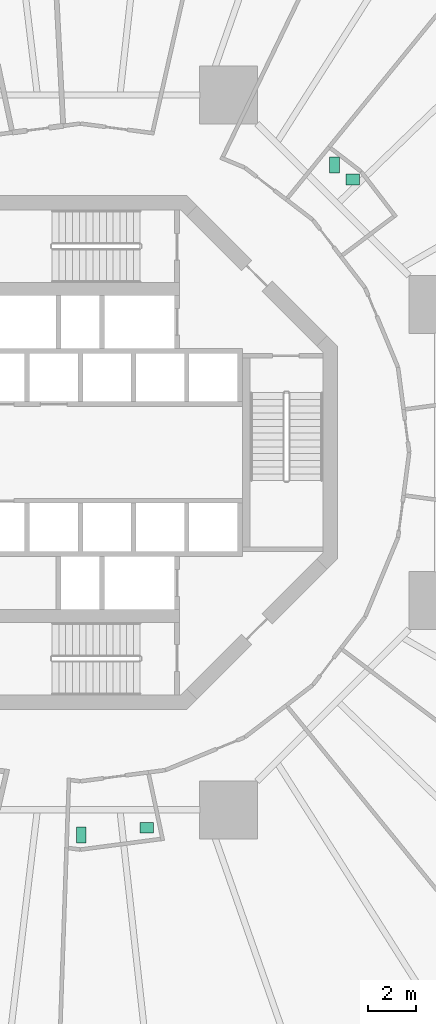
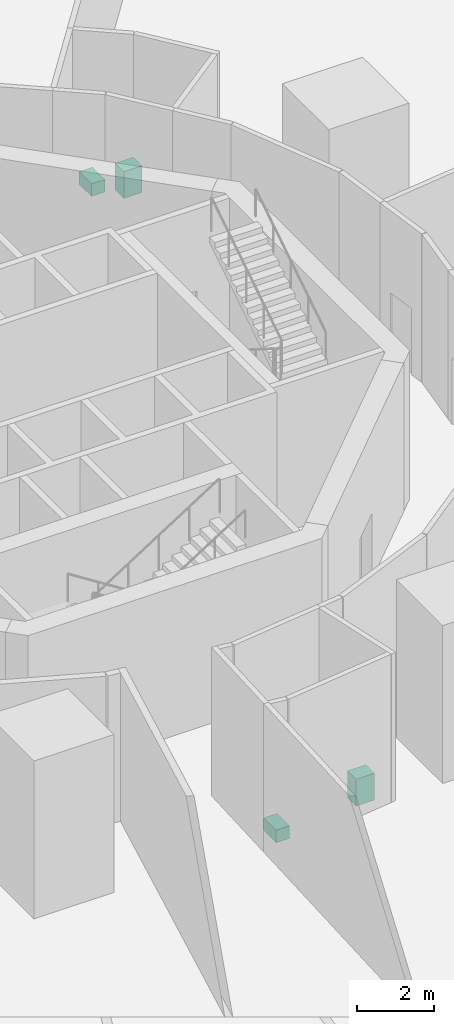
# One storey, part 47 of 47: 4 sanitary terminals.
"""IFC4 building model written with IfcOpenShell, lengths in metres."""

from ifc_helpers import new_model, si_unit, direction, frame, origin, origin_2d, place, context, subcontext, project, spatial, rectangle, extrude, material, type_object, element, save


model = new_model("IFC4")

# Units and contexts
model_context = context("Model", 3, precision=1e-05, world=origin(), true_north=direction((0.0, 1.0)))
body_context = subcontext(model_context, "Body", "Model", "MODEL_VIEW")
ifc_project = project(units=[si_unit("LENGTHUNIT", "METRE"), si_unit("AREAUNIT", "SQUARE_METRE"), si_unit("VOLUMEUNIT", "CUBIC_METRE"), si_unit("PLANEANGLEUNIT", "RADIAN"), si_unit("MASSUNIT", "GRAM", prefix="KILO")], contexts=[model_context])

# Site, building, storey
site_placement = place(None, origin())
site = spatial("IfcSite", under=ifc_project, at=site_placement, CompositionType="ELEMENT")
building_placement = place(site_placement, origin())
building = spatial("IfcBuilding", under=site, at=building_placement, Name="Nagisa Residences", CompositionType="ELEMENT")
storey_placement = place(building_placement, frame((0.0, 0.0, 17.0)))
storey = spatial("IfcBuildingStorey", under=building, at=storey_placement, Name="L03", CompositionType="ELEMENT", Elevation=17.0)

# Sanitary terminals
ifc_material_1 = material(Name="Vitreous china")
sanitary_terminal_type_1 = type_object("IfcSanitaryTerminalType", Name="WC pan", PredefinedType="WCSEAT", material=ifc_material_1)
for number, where, z_axis, x_axis, name in (
    (1, (10.510986328125, 11.886962890625, 0.0), (0.0, 0.0, 1.0), (1.0, 0.0, 0.0), "fix:L03:r0t1p0:wc"),
    (2, (0.04296875, -15.820068359375, 0.0), (0.0, 0.0, 1.0), (1.0, 0.0, 0.0), "fix:L03:r11t12p0:wc"),
):
    element("IfcSanitaryTerminal", number, at=place(storey_placement, frame(where, z_axis=z_axis, x_axis=x_axis)), inside=storey, type_object=sanitary_terminal_type_1, Name=name, PredefinedType="WCSEAT", context=body_context, shape_type="SweptSolid", body=[
        extrude(rectangle(XDim=0.39990234375, YDim=0.64990234375, at=origin_2d()), origin(), (0.0, 0.0, 1.0), 0.39990234375),
    ])
ifc_material_2 = material(Name="Vitreous china")
sanitary_terminal_type_2 = type_object("IfcSanitaryTerminalType", Name="Wash basin", PredefinedType="WASHHANDBASIN", material=ifc_material_2)
for number, where, z_axis, x_axis, name in (
    (3, (11.260986328125, 11.287109375, 0.0), (0.0, 0.0, 1.0), (1.0, 0.0, 0.0), "fix:L03:r0t1p0:basin"),
    (4, (2.742919921875, -15.52001953125, 0.0), (0.0, 0.0, 1.0), (1.0, 0.0, 0.0), "fix:L03:r11t12p0:basin"),
):
    element("IfcSanitaryTerminal", number, at=place(storey_placement, frame(where, z_axis=z_axis, x_axis=x_axis)), inside=storey, type_object=sanitary_terminal_type_2, Name=name, PredefinedType="WASHHANDBASIN", context=body_context, shape_type="SweptSolid", body=[
        extrude(rectangle(XDim=0.550048828125, YDim=0.449951171875, at=origin_2d()), origin(), (0.0, 0.0, 1.0), 0.85009765625),
    ])

save(model, "model.ifc")
